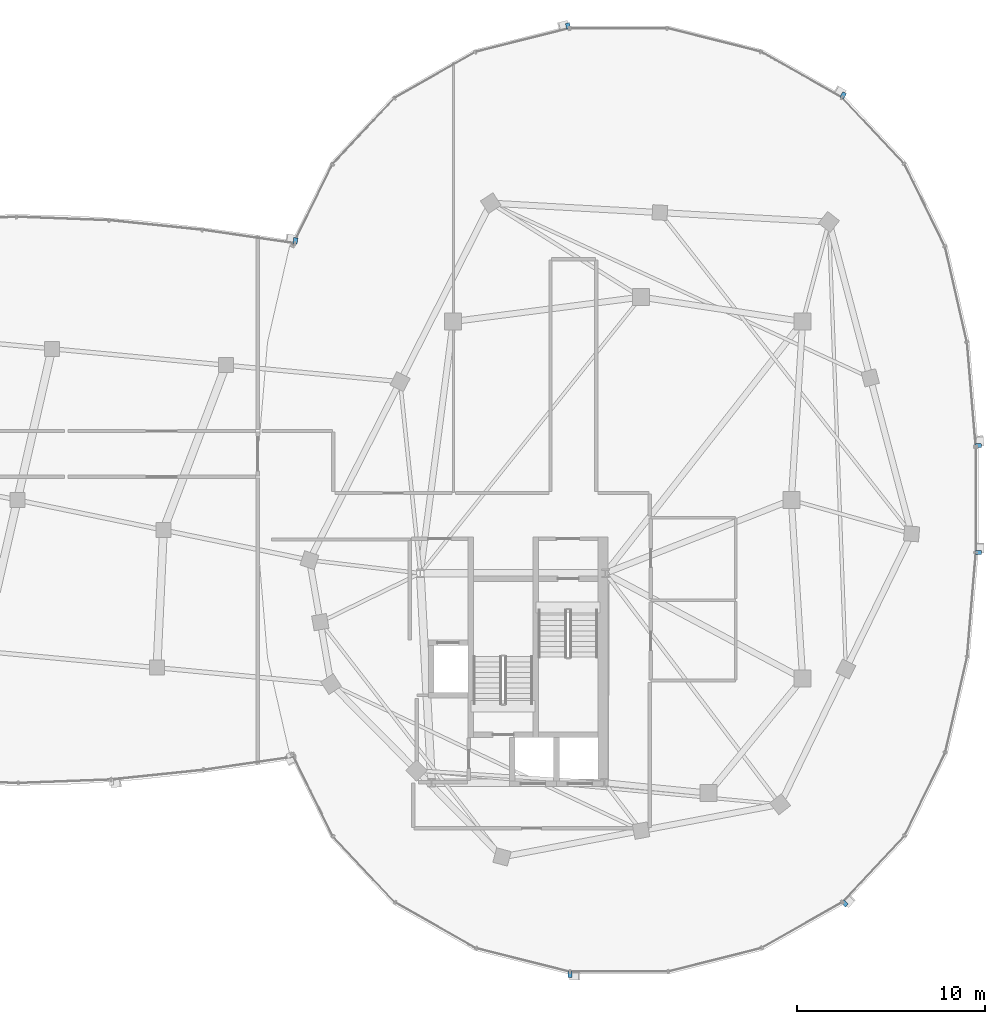
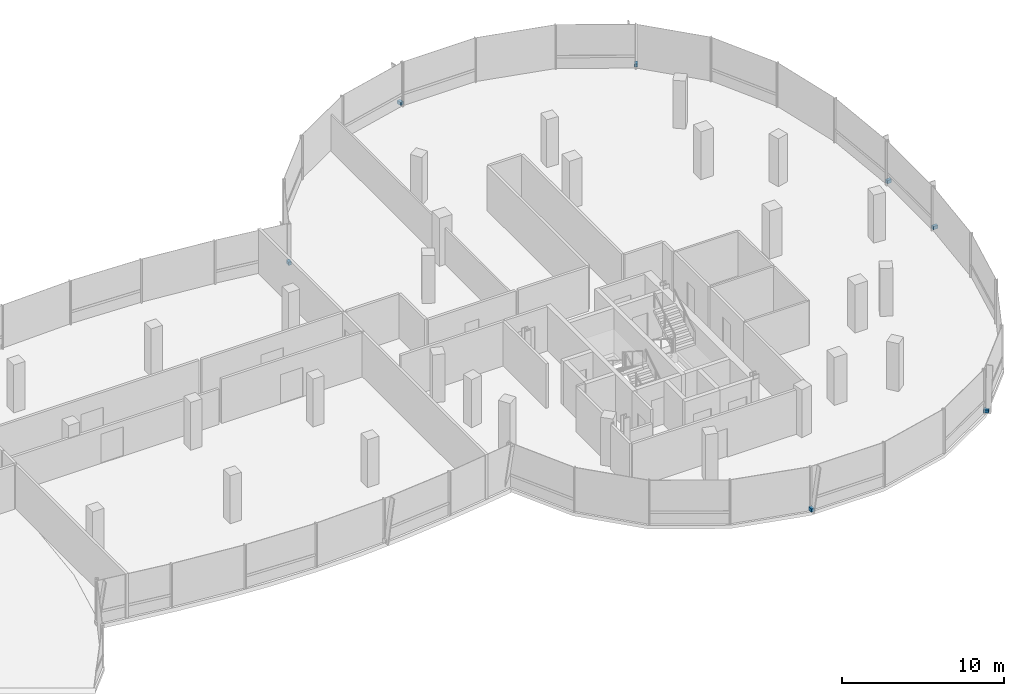
# One storey, part 18 of 24: 7 discrete accessories.
"""IFC4 building model written with IfcOpenShell, lengths in metres."""

from ifc_helpers import new_model, si_unit, direction, frame, origin, origin_2d, place, context, subcontext, project, spatial, rectangle, extrude, material, type_object, element, save


model = new_model("IFC4")

# Units and contexts
model_context = context("Model", 3, precision=1e-05, world=origin(), true_north=direction((0.0, 1.0)))
body_context = subcontext(model_context, "Body", "Model", "MODEL_VIEW")
ifc_project = project(units=[si_unit("LENGTHUNIT", "METRE"), si_unit("AREAUNIT", "SQUARE_METRE"), si_unit("VOLUMEUNIT", "CUBIC_METRE"), si_unit("PLANEANGLEUNIT", "RADIAN"), si_unit("MASSUNIT", "GRAM", prefix="KILO"), si_unit("THERMODYNAMICTEMPERATUREUNIT", "KELVIN"), si_unit("POWERUNIT", "WATT")], contexts=[model_context])

# Site, building, storey
site_placement = place(None, origin())
site = spatial("IfcSite", under=ifc_project, at=site_placement, CompositionType="ELEMENT")
building_placement = place(site_placement, origin())
building = spatial("IfcBuilding", under=site, at=building_placement, Name="Cundina Bronze Exchange", CompositionType="ELEMENT")
storey_placement = place(building_placement, frame((0.0, 0.0, 268.39990234375)))
storey = spatial("IfcBuildingStorey", under=building, at=storey_placement, Name="L71", CompositionType="ELEMENT", Elevation=268.39990234375)

# Discrete accessories
ifc_material = material(Name="Anodised Bronze Aluminium 6063-T6", Category="aluminium")
discrete_accessory_type = type_object("IfcDiscreteAccessoryType", Name="ACC-BRK-FIN", PredefinedType="BRACKET", material=ifc_material)
for number, where, z_axis, x_axis, name in (
    (1, (51.154541015625, 2.897216796875, 0.10009765625), (0.0, 0.0, 1.0), (-0.083747411454, 0.996487015006, 0.0), "L71 Fin Support Bracket 1"),
    (2, (43.958251953125, 21.54150390625, 0.10009765625), (0.0, 0.0, 1.0), (-0.869572506985, 0.493805280547, 0.0), "L71 Fin Support Bracket 5"),
    (3, (29.317626953125, 25.23681640625, 0.10009765625), (0.0, 0.0, 1.0), (-0.969731542251, -0.244173577528, 0.0), "L71 Fin Support Bracket 1"),
    (4, (29.423583984375, -25.25, 0.10009765625), (0.0, 0.0, 1.0), (1.0, 0.0, 0.0), "L71 Fin Support Bracket 5"),
    (5, (44.042236328125, -21.4755859375, 0.10009765625), (0.0, 0.0, 1.0), (0.684343512797, 0.72915976061, 0.0), "L71 Fin Support Bracket 1"),
    (6, (51.158935546875, -2.79150390625, 0.10009765625), (0.0, 0.0, 1.0), (0.0, 1.0, 0.0), "L71 Fin Support Bracket 5"),
    (7, (14.799560546875, 13.79736328125, 0.10009765625), (0.0, 0.0, 1.0), (-0.989528308409, 0.144338930496, 0.0), "L71 Fin Support Bracket 1"),
):
    element("IfcDiscreteAccessory", number, at=place(storey_placement, frame(where, z_axis=z_axis, x_axis=x_axis)), inside=storey, type_object=discrete_accessory_type, Name=name, PredefinedType="BRACKET", context=body_context, shape_type="SweptSolid", body=[
        extrude(rectangle(XDim=0.219970703125, YDim=0.320068359375, at=origin_2d()), origin(), (0.0, 0.0, 1.0), 0.239990234375),
    ])

save(model, "model.ifc")
